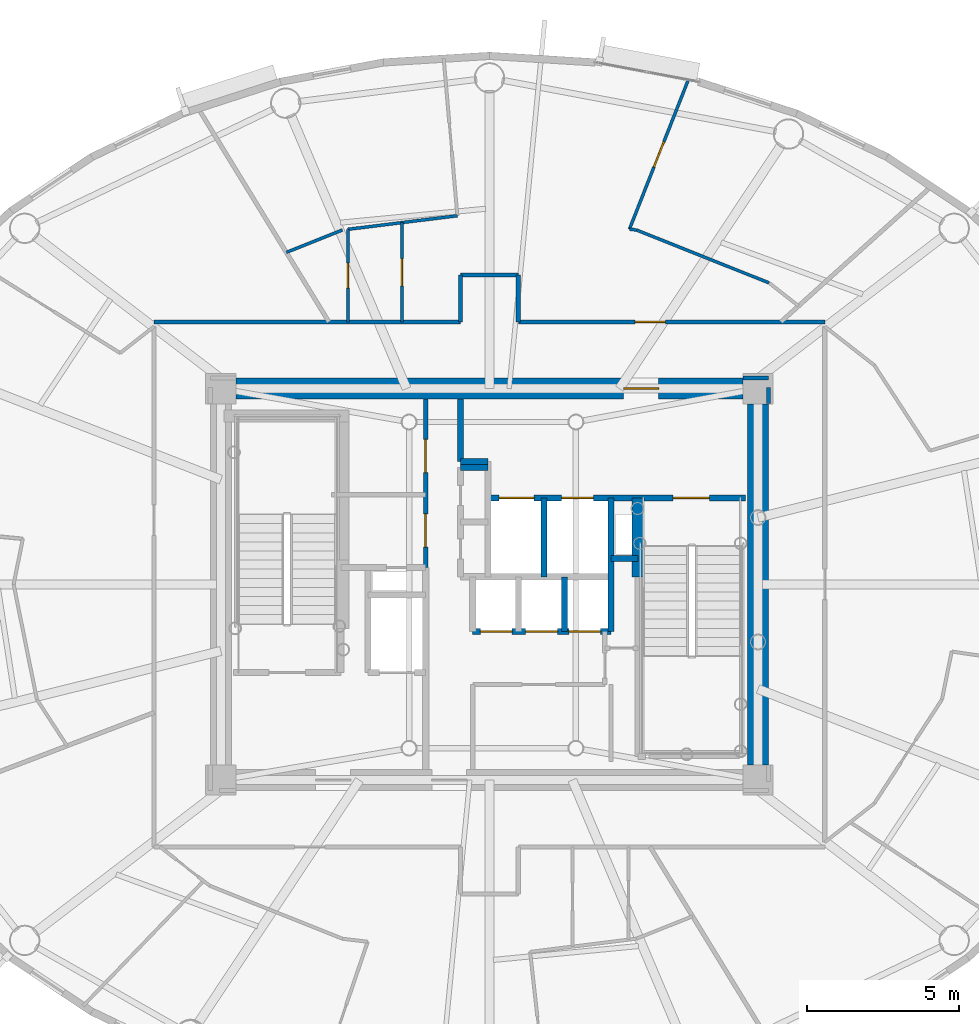
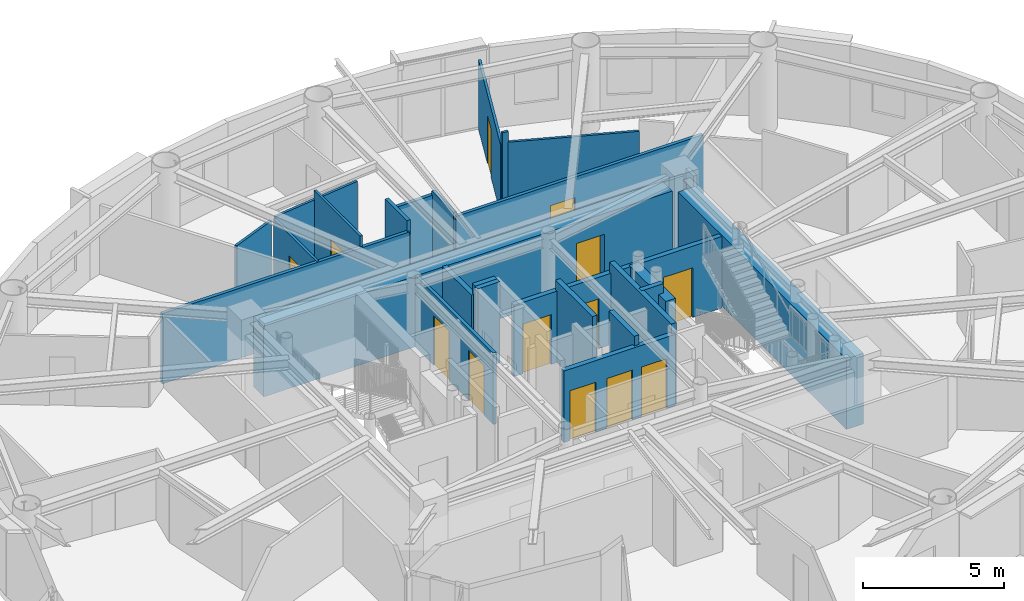
# One storey, part 8 of 17: 27 walls, 13 doors, 13 openings.
"""IFC4 building model written with IfcOpenShell, lengths in metres."""

import ifcopenshell
import ifcopenshell.guid

model = None  # the IFC model being written
_history = None  # IfcOwnerHistory: only IFC2X3 demands one
_inside = {}  # id of a spatial element -> (the spatial element, [elements in it])
_under = {}  # id of a project, library or spatial element -> (it, [spatial elements below it])
_declared = {}  # id of a project -> (the project, [libraries it declares])
_typed = {}  # id of a type object -> (the type object, [elements of that type])
_made_of = {}  # id of a material, layer set ... -> (it, [elements and type objects made of it])


def new_model(schema):
    """Start an empty IFC model of exactly this schema.

    Asked for "IFC4X3", IfcOpenShell would pick the latest addendum, in which some entities
    have other attributes; the version numbers below select the first issue.
    IFC2X3 requires an IfcOwnerHistory on every rooted entity: one is made here for all.
    """
    global model, _history
    if schema == "IFC4X3":
        model = ifcopenshell.file(schema_version=(4, 3, 0, 0))
    else:
        model = ifcopenshell.file(schema=schema)
    _inside.clear()
    _under.clear()
    _declared.clear()
    _typed.clear()
    _made_of.clear()
    _history = None
    if model.schema == "IFC2X3":
        org = make("IfcOrganization", Name="unknown")
        user = make(
            "IfcPersonAndOrganization",
            ThePerson=make("IfcPerson", FamilyName="unknown"),
            TheOrganization=org,
        )
        app = make(
            "IfcApplication",
            ApplicationDeveloper=org,
            Version="unknown",
            ApplicationFullName="unknown",
            ApplicationIdentifier="unknown",
        )
        _history = make(
            "IfcOwnerHistory",
            OwningUser=user,
            OwningApplication=app,
            ChangeAction="ADDED",
            CreationDate=0,
        )
    return model


def make(cls, **values):
    """One entity of the class cls with the attributes given. An attribute that is None is left unset."""
    return model.create_entity(
        cls, **{name: value for name, value in values.items() if value is not None}
    )


def rooted(cls, **values):
    """An entity with a GlobalId (a new one), such as an element, a storey or a relation."""
    return make(cls, GlobalId=ifcopenshell.guid.new(), OwnerHistory=_history, **values)


def si_unit(unit_type, name, prefix=None):
    """IfcSIUnit, for example si_unit("LENGTHUNIT", "METRE", prefix="MILLI")."""
    return make("IfcSIUnit", UnitType=unit_type, Prefix=prefix, Name=name)


def assignment(units):
    """IfcUnitAssignment: the units of a project."""
    return None if units is None else make("IfcUnitAssignment", Units=units)


def point(xyz):
    """IfcCartesianPoint."""
    return None if xyz is None else make("IfcCartesianPoint", Coordinates=xyz)


def direction(xyz):
    """IfcDirection."""
    return None if xyz is None else make("IfcDirection", DirectionRatios=xyz)


def frame(location, z_axis=None, x_axis=None):
    """IfcAxis2Placement3D, a coordinate frame: its origin and axes. An axis left out is left unset."""
    return make(
        "IfcAxis2Placement3D",
        Location=point(location),
        Axis=direction(z_axis),
        RefDirection=direction(x_axis),
    )


def frame_2d(location, x_axis=None):
    """IfcAxis2Placement2D, a coordinate frame in the plane: its origin and x axis."""
    return make(
        "IfcAxis2Placement2D", Location=point(location), RefDirection=direction(x_axis)
    )


def origin():
    """The frame at (0, 0, 0) with its axes left unset."""
    return frame((0.0, 0.0, 0.0))


def origin_2d():
    """The frame at (0, 0) in the plane with its x axis left unset."""
    return frame_2d((0.0, 0.0))


def place(relative_to, where):
    """IfcLocalPlacement: puts the frame where relative to a parent placement (None: the world)."""
    return make(
        "IfcLocalPlacement", PlacementRelTo=relative_to, RelativePlacement=where
    )


def context(
    kind, dimensions, precision=None, world=None, true_north=None, identifier=None
):
    """IfcGeometricRepresentationContext, for example the 3D "Model" context."""
    return make(
        "IfcGeometricRepresentationContext",
        ContextIdentifier=identifier,
        ContextType=kind,
        CoordinateSpaceDimension=dimensions,
        Precision=precision,
        WorldCoordinateSystem=world,
        TrueNorth=true_north,
    )


def subcontext(parent, identifier, kind, view, scale=None):
    """IfcGeometricRepresentationSubContext, for example "Body" below "Model"."""
    return make(
        "IfcGeometricRepresentationSubContext",
        ContextIdentifier=identifier,
        ContextType=kind,
        ParentContext=parent,
        TargetScale=scale,
        TargetView=view,
    )


def project(units=None, contexts=None):
    """IfcProject with its units and contexts."""
    return rooted(
        "IfcProject",
        Name="project",
        RepresentationContexts=contexts,
        UnitsInContext=assignment(units),
    )


def spatial(cls, under=None, at=None, **own):
    """A site, building, storey or space (cls), placed at a placement, below another one or the project."""
    s = rooted(cls, ObjectPlacement=at, **own)
    if under is not None:
        _under.setdefault(under.id(), (under, []))[1].append(s)
    return s


def profile(cls, at=None, kind="AREA", **sizes):
    """A parametric profile (cls). Its sizes go by their IFC names, for example OverallWidth=200.0."""
    return make(cls, ProfileType=kind, Position=at, **sizes)


def rectangle(**sizes):
    """IfcRectangleProfileDef."""
    return profile("IfcRectangleProfileDef", **sizes)


def extrude(swept, where, along, depth):
    """IfcExtrudedAreaSolid: the profile swept, set in the frame where, extruded along a direction by depth."""
    return make(
        "IfcExtrudedAreaSolid",
        SweptArea=swept,
        Position=where,
        ExtrudedDirection=direction(along),
        Depth=depth,
    )


def shape(context_of_items, identifier, shape_type, items):
    """IfcShapeRepresentation: the items that make up one representation, for example the "Body"."""
    return make(
        "IfcShapeRepresentation",
        ContextOfItems=context_of_items,
        RepresentationIdentifier=identifier,
        RepresentationType=shape_type,
        Items=items,
    )


def source(mapping_origin, context_of_items, identifier, shape_type, items):
    """IfcRepresentationMap: a shape defined once, which mapped items show again and again."""
    return make(
        "IfcRepresentationMap",
        MappingOrigin=mapping_origin,
        MappedRepresentation=shape(context_of_items, identifier, shape_type, items),
    )


def transform(
    local_origin,
    x_axis=None,
    y_axis=None,
    z_axis=None,
    scale=None,
    scale2=None,
    scale3=None,
    uniform=True,
):
    """IfcCartesianTransformationOperator3D, or its non-uniform kind. x_axis, y_axis, z_axis: its Axis1, 2, 3."""
    if uniform:
        return make(
            "IfcCartesianTransformationOperator3D",
            Axis1=direction(x_axis),
            Axis2=direction(y_axis),
            LocalOrigin=point(local_origin),
            Scale=scale,
            Axis3=direction(z_axis),
        )
    return make(
        "IfcCartesianTransformationOperator3DnonUniform",
        Axis1=direction(x_axis),
        Axis2=direction(y_axis),
        LocalOrigin=point(local_origin),
        Scale=scale,
        Axis3=direction(z_axis),
        Scale2=scale2,
        Scale3=scale3,
    )


def mapped(mapping_source, mapping_target):
    """IfcMappedItem: shows the shape of a source again, moved by a transform."""
    return make(
        "IfcMappedItem", MappingSource=mapping_source, MappingTarget=mapping_target
    )


def material(Name=None, Category=None):
    """IfcMaterial."""
    return make("IfcMaterial", Name=Name, Category=Category)


def layer(
    of_material, thickness, ventilated=None, Name=None, Category=None, Priority=None
):
    """IfcMaterialLayer: one layer of a wall or slab, of a material (None: an air gap)."""
    return make(
        "IfcMaterialLayer",
        Material=of_material,
        LayerThickness=thickness,
        IsVentilated=ventilated,
        Name=Name,
        Category=Category,
        Priority=Priority,
    )


def layer_set(layers, Name=None):
    """IfcMaterialLayerSet."""
    return make("IfcMaterialLayerSet", MaterialLayers=layers, LayerSetName=Name)


def made_of(thing, what):
    """Note that an element or type object is made of a material, layer set ...; save() writes the relation."""
    if what is not None:
        _made_of.setdefault(what.id(), (what, []))[1].append(thing)
    return thing


def type_object(cls, material=None, **own):
    """A type object (cls), such as IfcWallType, which elements share."""
    return made_of(rooted(cls, **own), material)


def element(
    cls,
    number,
    at=None,
    inside=None,
    cuts=None,
    type_object=None,
    material=None,
    context=None,
    identifier="Body",
    shape_type=None,
    held_by="IfcProductDefinitionShape",
    body=None,
    shapes=None,
    **own,
):
    """One element of the class cls, such as IfcWall. Its Tag is "e" and its number.

    at: its placement. inside: the storey or other place that contains it. cuts: it is an
    opening in that element (IfcRelVoidsElement). A single representation is given by context,
    identifier, shape_type and body (its items); several are given by shapes. held_by: the class
    of the entity that holds the representations. save() writes the other relations.
    """
    e = rooted(cls, Tag="e%d" % number, ObjectPlacement=at, **own)
    if body is not None:
        shapes = [shape(context, identifier, shape_type, body)]
    if shapes is not None:
        e.Representation = make(held_by, Representations=shapes)
    if inside is not None:
        _inside.setdefault(inside.id(), (inside, []))[1].append(e)
    if cuts is not None:
        rooted(
            "IfcRelVoidsElement", RelatingBuildingElement=cuts, RelatedOpeningElement=e
        )
    if type_object is not None:
        _typed.setdefault(type_object.id(), (type_object, []))[1].append(e)
    return made_of(e, material)


def fill(opening, filler):
    """IfcRelFillsElement: the door or window that sits in an opening."""
    return rooted(
        "IfcRelFillsElement",
        RelatingOpeningElement=opening,
        RelatedBuildingElement=filler,
    )


def aggregate(whole, parts):
    """IfcRelAggregates: a whole, such as a stair, and the parts it consists of."""
    return rooted("IfcRelAggregates", RelatingObject=whole, RelatedObjects=parts)


def save(model, path):
    """Write the relations noted so far, then the file.

    IfcRelAggregates (storeys below a building ...), IfcRelContainedInSpatialStructure (elements
    in a storey), IfcRelDefinesByType, IfcRelAssociatesMaterial and IfcRelDeclares: one each for
    every whole, place, type object, material and project.
    """
    for whole, parts in _under.values():
        aggregate(whole, parts)
    for where, things in _inside.values():
        rooted(
            "IfcRelContainedInSpatialStructure",
            RelatedElements=things,
            RelatingStructure=where,
        )
    for kind, things in _typed.values():
        rooted("IfcRelDefinesByType", RelatedObjects=things, RelatingType=kind)
    for what, things in _made_of.values():
        rooted("IfcRelAssociatesMaterial", RelatedObjects=things, RelatingMaterial=what)
    for by, libraries in _declared.values():
        rooted("IfcRelDeclares", RelatingContext=by, RelatedDefinitions=libraries)
    model.write(path)


model = new_model("IFC4")

# Units and contexts
model_context = context("Model", 3, precision=1e-05, world=origin(), true_north=direction((0.0, 1.0)))
body_context = subcontext(model_context, "Body", "Model", "MODEL_VIEW")
ifc_project = project(units=[si_unit("LENGTHUNIT", "METRE"), si_unit("AREAUNIT", "SQUARE_METRE"), si_unit("VOLUMEUNIT", "CUBIC_METRE"), si_unit("PLANEANGLEUNIT", "RADIAN"), si_unit("MASSUNIT", "GRAM", prefix="KILO")], contexts=[model_context])

# Site, building, storey
site_placement = place(None, origin())
site = spatial("IfcSite", under=ifc_project, at=site_placement, CompositionType="ELEMENT")
building_placement = place(site_placement, origin())
building = spatial("IfcBuilding", under=site, at=building_placement, Name="Linh Dai School and Residence Tower", CompositionType="ELEMENT")
storey_placement = place(building_placement, frame((0.0, 0.0, 284.25)))
storey = spatial("IfcBuildingStorey", under=building, at=storey_placement, Name="L70", CompositionType="ELEMENT", Elevation=284.25)

# Wall
ifc_material_1 = material(Name="Autoclaved Aerated Concrete Blockwork", Category="masonry")
ifc_layer_1 = layer(ifc_material_1, 0.135009765625)
ifc_layer_set_1 = layer_set([ifc_layer_1], Name="Autoclaved Aerated Concrete Blockwork")
wall_type_1 = type_object("IfcWallType", Name="IW-CORR-135-EI90", PredefinedType="PARTITIONING", material=ifc_layer_set_1)
wall_1_placement = place(storey_placement, frame((24.949951171875, 35.64990234375, 0.0), z_axis=(0.0, 0.0, 1.0), x_axis=(1.0, 0.0, 0.0)))
element("IfcWall", 1, at=wall_1_placement, inside=storey, type_object=wall_type_1, Name="L70 Interior Partition Wall 013", PredefinedType="PARTITIONING", context=body_context, shape_type="SweptSolid", body=[
    extrude(rectangle(XDim=10.10009765625, YDim=0.135009765625, at=frame_2d((5.050048828125, 0.0))), origin(), (0.0, 0.0, 1.0), 3.034912109375),
])

# Wall, openings, doors
wall_2_placement = place(storey_placement, frame((33.89990234375, 27.56005859375, 0.0), z_axis=(0.0, 0.0, 1.0), x_axis=(0.0, 1.0, 0.0)))
wall_2 = element("IfcWall", 2, at=wall_2_placement, inside=storey, type_object=wall_type_1, Name="L70 Interior Partition Wall 031", PredefinedType="PARTITIONING", context=body_context, shape_type="SweptSolid", body=[
    extrude(rectangle(XDim=5.5400390625, YDim=0.135009765625, at=frame_2d((2.77001953125, 0.0))), origin(), (0.0, 0.0, 1.0), 3.0849609375),
])
opening_1_placement = place(wall_2_placement, frame((0.6650390625, 0.0, 0.0)))
opening_1 = element("IfcOpeningElement", 3, at=opening_1_placement, cuts=wall_2, Name="Opening D07", PredefinedType="OPENING", context=body_context, shape_type="SweptSolid", body=[
    extrude(rectangle(XDim=1.10009765625, YDim=2.14990234375, at=origin_2d()), frame((0.550048828125, 0.07763671875, 1.074951171875), z_axis=(0.0, -1.0, 0.0), x_axis=(1.0, 0.0, 0.0)), (0.0, 0.0, 1.0), 0.155029296875),
])
opening_2_placement = place(wall_2_placement, frame((3.117431640625, 0.0, 0.0)))
opening_2 = element("IfcOpeningElement", 4, at=opening_2_placement, cuts=wall_2, Name="Opening D07", PredefinedType="OPENING", context=body_context, shape_type="SweptSolid", body=[
    extrude(rectangle(XDim=1.10009765625, YDim=2.14990234375, at=origin_2d()), frame((0.550048828125, 0.07763671875, 1.074951171875), z_axis=(0.0, -1.0, 0.0), x_axis=(1.0, 0.0, 0.0)), (0.0, 0.0, 1.0), 0.155029296875),
])
ifc_material_2 = material(Name="Fire-Rated Louvred Steel Plant Door", Category="steel")
door_type_1 = type_object("IfcDoorType", Name="DR-PLT-1100x2150-FD60S", OperationType="NOTDEFINED", PredefinedType="DOOR", material=ifc_material_2)
shared_shape_1 = source(origin(), body_context, "Body", "SweptSolid", [
    extrude(rectangle(XDim=1.10009765625, YDim=2.14990234375, at=origin_2d()), frame((0.550048828125, 0.02490234375, 1.074951171875), z_axis=(0.0, -1.0, 0.0), x_axis=(1.0, 0.0, 0.0)), (0.0, 0.0, 1.0), 0.050048828125),
])
door_1_placement = place(opening_1_placement, origin())
door_1 = element("IfcDoor", 5, at=door_1_placement, inside=storey, type_object=door_type_1, Name="L70 BMS and Data Room Door", OperationType="SINGLE_SWING_LEFT", OverallHeight=2.14990234375, OverallWidth=1.10009765625, PredefinedType="DOOR", context=body_context, shape_type="MappedRepresentation", body=[
    mapped(shared_shape_1, transform((0.0, 0.0, 0.0), x_axis=(1.0, 0.0, 0.0), y_axis=(0.0, 1.0, 0.0), z_axis=(0.0, 0.0, 1.0), scale=1.0)),
])
fill(opening_1, door_1)
door_2_placement = place(opening_2_placement, origin())
door_2 = element("IfcDoor", 6, at=door_2_placement, inside=storey, type_object=door_type_1, Name="L70 Housekeeping Linen Room Door", OperationType="SINGLE_SWING_RIGHT", OverallHeight=2.14990234375, OverallWidth=1.10009765625, PredefinedType="DOOR", context=body_context, shape_type="MappedRepresentation", body=[
    mapped(shared_shape_1, transform((0.0, 0.0, 0.0), x_axis=(1.0, 0.0, 0.0), y_axis=(0.0, 1.0, 0.0), z_axis=(0.0, 0.0, 1.0), scale=1.0)),
])
fill(opening_2, door_2)

# Walls
wall_3_placement = place(storey_placement, frame((35.050048828125, 35.64990234375, 0.0), z_axis=(0.0, 0.0, 1.0), x_axis=(0.0, 1.0, 0.0)))
element("IfcWall", 7, at=wall_3_placement, inside=storey, type_object=wall_type_1, Name="L70 Interior Partition Wall 041", PredefinedType="PARTITIONING", context=body_context, shape_type="SweptSolid", body=[
    extrude(rectangle(XDim=1.550048828125, YDim=0.135009765625, at=frame_2d((0.77490234375, 0.0))), origin(), (0.0, 0.0, 1.0), 3.5),
])
wall_4_placement = place(storey_placement, frame((35.050048828125, 37.199951171875, 0.0), z_axis=(0.0, 0.0, 1.0), x_axis=(1.0, 0.0, 0.0)))
element("IfcWall", 8, at=wall_4_placement, inside=storey, type_object=wall_type_1, Name="L70 Interior Partition Wall 042", PredefinedType="PARTITIONING", context=body_context, shape_type="SweptSolid", body=[
    extrude(rectangle(XDim=1.89990234375, YDim=0.135009765625, at=frame_2d((0.949951171875, 0.0))), origin(), (0.0, 0.0, 1.0), 3.034912109375),
])
wall_5_placement = place(storey_placement, frame((36.949951171875, 35.64990234375, 0.0), z_axis=(0.0, 0.0, 1.0), x_axis=(0.0, 1.0, 0.0)))
element("IfcWall", 9, at=wall_5_placement, inside=storey, type_object=wall_type_1, Name="L70 Interior Partition Wall 051", PredefinedType="PARTITIONING", context=body_context, shape_type="SweptSolid", body=[
    extrude(rectangle(XDim=1.550048828125, YDim=0.135009765625, at=frame_2d((0.77490234375, 0.0))), origin(), (0.0, 0.0, 1.0), 3.18505859375),
])

# Wall, opening, door
wall_6_placement = place(storey_placement, frame((36.949951171875, 35.64990234375, 0.0), z_axis=(0.0, 0.0, 1.0), x_axis=(1.0, 0.0, 0.0)))
wall_6 = element("IfcWall", 10, at=wall_6_placement, inside=storey, type_object=wall_type_1, Name="L70 Interior Partition Wall 052", PredefinedType="PARTITIONING", context=body_context, shape_type="SweptSolid", body=[
    extrude(rectangle(XDim=10.10009765625, YDim=0.135009765625, at=frame_2d((5.050048828125, 0.0))), origin(), (0.0, 0.0, 1.0), 3.034912109375),
])
opening_3_placement = place(wall_6_placement, frame((3.848388671875, 0.0, 0.0)))
opening_3 = element("IfcOpeningElement", 11, at=opening_3_placement, cuts=wall_6, Name="Opening D03", PredefinedType="OPENING", context=body_context, shape_type="SweptSolid", body=[
    extrude(rectangle(XDim=1.0, YDim=2.14990234375, at=origin_2d()), frame((0.5, 0.07763671875, 1.074951171875), z_axis=(0.0, -1.0, 0.0), x_axis=(1.0, 0.0, 0.0)), (0.0, 0.0, 1.0), 0.155029296875),
])
ifc_material_3 = material(Name="Fire-Rated Solid Timber Entrance Door", Category="wood")
door_type_2 = type_object("IfcDoorType", Name="DR-FLAT-1000x2150-FD60S", OperationType="NOTDEFINED", PredefinedType="DOOR", material=ifc_material_3)
shared_shape_2 = source(origin(), body_context, "Body", "SweptSolid", [
    extrude(rectangle(XDim=1.0, YDim=2.14990234375, at=origin_2d()), frame((0.5, 0.02490234375, 1.074951171875), z_axis=(0.0, -1.0, 0.0), x_axis=(1.0, 0.0, 0.0)), (0.0, 0.0, 1.0), 0.050048828125),
])
door_3_placement = place(opening_3_placement, origin())
door_3 = element("IfcDoor", 12, at=door_3_placement, inside=storey, type_object=door_type_2, Name="L70 U7001 Apartment Entrance Door", OperationType="SINGLE_SWING_RIGHT", OverallHeight=2.14990234375, OverallWidth=1.0, PredefinedType="DOOR", context=body_context, shape_type="MappedRepresentation", body=[
    mapped(shared_shape_2, transform((0.0, 0.0, 0.0), x_axis=(1.0, 0.0, 0.0), y_axis=(0.0, 1.0, 0.0), z_axis=(0.0, 0.0, 1.0), scale=1.0)),
])
fill(opening_3, door_3)

# Walls
wall_7_placement = place(storey_placement, frame((45.199951171875, 33.800048828125, 0.0), z_axis=(0.0, 0.0, 1.0), x_axis=(-1.0, 0.0, 0.0)))
element("IfcWall", 13, at=wall_7_placement, inside=storey, type_object=wall_type_1, Name="L70 Interior Partition Wall 086", PredefinedType="PARTITIONING", context=body_context, shape_type="SweptSolid", body=[
    extrude(rectangle(XDim=0.83984375, YDim=0.135009765625, at=frame_2d((0.419921875, 0.0))), origin(), (0.0, 0.0, 1.0), 3.034912109375),
])
wall_8_placement = place(storey_placement, frame((45.199951171875, 32.9599609375, 0.0), z_axis=(0.0, 0.0, 1.0), x_axis=(0.0, 1.0, 0.0)))
element("IfcWall", 14, at=wall_8_placement, inside=storey, type_object=wall_type_1, Name="L70 Interior Partition Wall 093", PredefinedType="PARTITIONING", context=body_context, shape_type="SweptSolid", body=[
    extrude(rectangle(XDim=0.532470703125, YDim=0.135009765625, at=frame_2d((0.26611328125, 0.0))), origin(), (0.0, 0.0, 1.0), 3.5),
])
ifc_material_4 = material(Name="Concrete B45 (C35/45)", Category="concrete")
ifc_layer_2 = layer(ifc_material_4, 0.199951171875)
ifc_layer_set_2 = layer_set([ifc_layer_2], Name="Concrete B45 (C35/45)")
wall_type_2 = type_object("IfcWallType", Name="IW-SHAFT-200-EI120", PredefinedType="PARTITIONING", material=ifc_layer_set_2)
wall_9_placement = place(storey_placement, frame((35.050048828125, 30.85009765625, 0.0), z_axis=(0.0, 0.0, 1.0), x_axis=(1.0, 0.0, 0.0)))
element("IfcWall", 15, at=wall_9_placement, inside=storey, type_object=wall_type_2, Name="L70 Interior Partition Wall 038", PredefinedType="PARTITIONING", context=body_context, shape_type="SweptSolid", body=[
    extrude(rectangle(XDim=0.89990234375, YDim=0.199951171875, at=frame_2d((0.449951171875, 0.0))), origin(), (0.0, 0.0, 1.0), 3.5),
])
wall_10_placement = place(storey_placement, frame((35.050048828125, 31.050048828125, 0.0), z_axis=(0.0, 0.0, 1.0), x_axis=(0.0, 1.0, 0.0)))
element("IfcWall", 16, at=wall_10_placement, inside=storey, type_object=wall_type_2, Name="L70 Interior Partition Wall 039", PredefinedType="PARTITIONING", context=body_context, shape_type="SweptSolid", body=[
    extrude(rectangle(XDim=2.050048828125, YDim=0.199951171875, at=frame_2d((1.02490234375, 0.0))), origin(), (0.0, 0.0, 1.0), 3.0849609375),
])
wall_11_placement = place(storey_placement, frame((35.050048828125, 31.050048828125, 0.0), z_axis=(0.0, 0.0, 1.0), x_axis=(1.0, 0.0, 0.0)))
element("IfcWall", 17, at=wall_11_placement, inside=storey, type_object=wall_type_2, Name="L70 Interior Partition Wall 040", PredefinedType="PARTITIONING", context=body_context, shape_type="SweptSolid", body=[
    extrude(rectangle(XDim=0.89990234375, YDim=0.199951171875, at=frame_2d((0.449951171875, 0.0))), origin(), (0.0, 0.0, 1.0), 3.5),
])

# Wall, openings, doors
wall_12_placement = place(storey_placement, frame((35.449951171875, 25.449951171875, 0.0), z_axis=(0.0, 0.0, 1.0), x_axis=(1.0, 0.0, 0.0)))
wall_12 = element("IfcWall", 18, at=wall_12_placement, inside=storey, type_object=wall_type_2, Name="L70 Interior Partition Wall 046", PredefinedType="PARTITIONING", context=body_context, shape_type="SweptSolid", body=[
    extrude(rectangle(XDim=4.550048828125, YDim=0.199951171875, at=frame_2d((2.27490234375, 0.0))), origin(), (0.0, 0.0, 1.0), 3.0849609375),
])
opening_4_placement = place(wall_12_placement, frame((0.25, 0.0, 0.0)))
opening_4 = element("IfcOpeningElement", 19, at=opening_4_placement, cuts=wall_12, Name="Opening LD-PL7", PredefinedType="OPENING", context=body_context, shape_type="SweptSolid", body=[
    extrude(rectangle(XDim=1.050048828125, YDim=2.14990234375, at=origin_2d()), frame((0.52490234375, 0.10986328125, 1.074951171875), z_axis=(0.0, -1.0, 0.0), x_axis=(1.0, 0.0, 0.0)), (0.0, 0.0, 1.0), 0.219970703125),
])
opening_5_placement = place(wall_12_placement, frame((1.7451171875, 0.0, 0.0)))
opening_5 = element("IfcOpeningElement", 20, at=opening_5_placement, cuts=wall_12, Name="Opening LD-PL8", PredefinedType="OPENING", context=body_context, shape_type="SweptSolid", body=[
    extrude(rectangle(XDim=1.050048828125, YDim=2.14990234375, at=origin_2d()), frame((0.52490234375, 0.10986328125, 1.074951171875), z_axis=(0.0, -1.0, 0.0), x_axis=(1.0, 0.0, 0.0)), (0.0, 0.0, 1.0), 0.219970703125),
])
opening_6_placement = place(wall_12_placement, frame((3.1650390625, 0.0, 0.0)))
opening_6 = element("IfcOpeningElement", 21, at=opening_6_placement, cuts=wall_12, Name="Opening LD-PL9", PredefinedType="OPENING", context=body_context, shape_type="SweptSolid", body=[
    extrude(rectangle(XDim=1.050048828125, YDim=2.14990234375, at=origin_2d()), frame((0.52490234375, 0.10986328125, 1.074951171875), z_axis=(0.0, -1.0, 0.0), x_axis=(1.0, 0.0, 0.0)), (0.0, 0.0, 1.0), 0.219970703125),
])
ifc_material_5 = material(Name="Brushed Stainless Steel Lift Landing Door", Category="steel")
door_type_3 = type_object("IfcDoorType", Name="DR-LD-PASS-1050x2150", OperationType="DOUBLE_DOOR_SLIDING", PredefinedType="USERDEFINED", material=ifc_material_5)
shared_shape_3 = source(origin(), body_context, "Body", "SweptSolid", [
    extrude(rectangle(XDim=1.050048828125, YDim=2.14990234375, at=origin_2d()), frame((0.52490234375, 0.02490234375, 1.074951171875), z_axis=(0.0, -1.0, 0.0), x_axis=(1.0, 0.0, 0.0)), (0.0, 0.0, 1.0), 0.050048828125),
])
door_4_placement = place(opening_4_placement, origin())
door_4 = element("IfcDoor", 22, at=door_4_placement, inside=storey, type_object=door_type_3, Name="L70 Lift PL7 Sliding Landing Door", ObjectType="LANDING DOOR", OperationType="DOUBLE_DOOR_SLIDING", OverallHeight=2.14990234375, OverallWidth=1.050048828125, PredefinedType="USERDEFINED", context=body_context, shape_type="MappedRepresentation", body=[
    mapped(shared_shape_3, transform((0.0, 0.0, 0.0), x_axis=(1.0, 0.0, 0.0), y_axis=(0.0, 1.0, 0.0), z_axis=(0.0, 0.0, 1.0), scale=1.0)),
])
fill(opening_4, door_4)
door_5_placement = place(opening_5_placement, origin())
door_5 = element("IfcDoor", 23, at=door_5_placement, inside=storey, type_object=door_type_3, Name="L70 Lift PL8 Sliding Landing Door", ObjectType="LANDING DOOR", OperationType="DOUBLE_DOOR_SLIDING", OverallHeight=2.14990234375, OverallWidth=1.050048828125, PredefinedType="USERDEFINED", context=body_context, shape_type="MappedRepresentation", body=[
    mapped(shared_shape_3, transform((0.0, 0.0, 0.0), x_axis=(1.0, 0.0, 0.0), y_axis=(0.0, 1.0, 0.0), z_axis=(0.0, 0.0, 1.0), scale=1.0)),
])
fill(opening_5, door_5)
door_6_placement = place(opening_6_placement, origin())
door_6 = element("IfcDoor", 24, at=door_6_placement, inside=storey, type_object=door_type_3, Name="L70 Lift PL9 Sliding Landing Door", ObjectType="LANDING DOOR", OperationType="DOUBLE_DOOR_SLIDING", OverallHeight=2.14990234375, OverallWidth=1.050048828125, PredefinedType="USERDEFINED", context=body_context, shape_type="MappedRepresentation", body=[
    mapped(shared_shape_3, transform((0.0, 0.0, 0.0), x_axis=(1.0, 0.0, 0.0), y_axis=(0.0, 1.0, 0.0), z_axis=(0.0, 0.0, 1.0), scale=1.0)),
])
fill(opening_6, door_6)

wall_13_placement = place(storey_placement, frame((35.949951171875, 29.85009765625, 0.0), z_axis=(0.0, 0.0, 1.0), x_axis=(1.0, 0.0, 0.0)))
wall_13 = element("IfcWall", 25, at=wall_13_placement, inside=storey, type_object=wall_type_2, Name="L70 Interior Partition Wall 048", PredefinedType="PARTITIONING", context=body_context, shape_type="SweptSolid", body=[
    extrude(rectangle(XDim=8.489990234375, YDim=0.199951171875, at=frame_2d((4.2451171875, 0.0))), origin(), (0.0, 0.0, 1.0), 3.0849609375),
])
opening_7_placement = place(wall_13_placement, frame((6.10009765625, 0.0, 0.0)))
opening_7 = element("IfcOpeningElement", 26, at=opening_7_placement, cuts=wall_13, Name="Opening D01", PredefinedType="OPENING", context=body_context, shape_type="SweptSolid", body=[
    extrude(rectangle(XDim=1.199951171875, YDim=2.14990234375, at=origin_2d()), frame((0.60009765625, 0.10986328125, 1.074951171875), z_axis=(0.0, -1.0, 0.0), x_axis=(1.0, 0.0, 0.0)), (0.0, 0.0, 1.0), 0.219970703125),
])
opening_8_placement = place(wall_13_placement, frame((0.3701171875, 0.0, 0.0)))
opening_8 = element("IfcOpeningElement", 27, at=opening_8_placement, cuts=wall_13, Name="Opening LD-FF1", PredefinedType="OPENING", context=body_context, shape_type="SweptSolid", body=[
    extrude(rectangle(XDim=1.14990234375, YDim=2.14990234375, at=origin_2d()), frame((0.574951171875, 0.10986328125, 1.074951171875), z_axis=(0.0, -1.0, 0.0), x_axis=(1.0, 0.0, 0.0)), (0.0, 0.0, 1.0), 0.219970703125),
])
opening_9_placement = place(wall_13_placement, frame((2.425048828125, 0.0, 0.0)))
opening_9 = element("IfcOpeningElement", 28, at=opening_9_placement, cuts=wall_13, Name="Opening LD-SV1", PredefinedType="OPENING", context=body_context, shape_type="SweptSolid", body=[
    extrude(rectangle(XDim=1.050048828125, YDim=2.14990234375, at=origin_2d()), frame((0.52490234375, 0.10986328125, 1.074951171875), z_axis=(0.0, -1.0, 0.0), x_axis=(1.0, 0.0, 0.0)), (0.0, 0.0, 1.0), 0.219970703125),
])
ifc_material_6 = material(Name="Fire-Rated Steel Door Leaf", Category="steel")
door_type_4 = type_object("IfcDoorType", Name="DR-STAIR-1200x2150-FD90S", OperationType="NOTDEFINED", PredefinedType="DOOR", material=ifc_material_6)
shared_shape_4 = source(origin(), body_context, "Body", "SweptSolid", [
    extrude(rectangle(XDim=1.199951171875, YDim=2.14990234375, at=origin_2d()), frame((0.60009765625, 0.02490234375, 1.074951171875), z_axis=(0.0, -1.0, 0.0), x_axis=(1.0, 0.0, 0.0)), (0.0, 0.0, 1.0), 0.050048828125),
])
door_7_placement = place(opening_7_placement, origin())
door_7 = element("IfcDoor", 29, at=door_7_placement, inside=storey, type_object=door_type_4, Name="L70 Core Smokeproof Exit Stair ST2 Door", OperationType="SINGLE_SWING_LEFT", OverallHeight=2.14990234375, OverallWidth=1.199951171875, PredefinedType="DOOR", context=body_context, shape_type="MappedRepresentation", body=[
    mapped(shared_shape_4, transform((0.0, 0.0, 0.0), x_axis=(1.0, 0.0, 0.0), y_axis=(0.0, 1.0, 0.0), z_axis=(0.0, 0.0, 1.0), scale=1.0)),
])
fill(opening_7, door_7)
ifc_material_7 = material(Name="Fire-Rated Stainless Steel Firefighting Lift Door", Category="steel")
door_type_5 = type_object("IfcDoorType", Name="DR-LD-FF-1150x2150-FD120", OperationType="DOUBLE_DOOR_SLIDING", PredefinedType="USERDEFINED", material=ifc_material_7)
shared_shape_5 = source(origin(), body_context, "Body", "SweptSolid", [
    extrude(rectangle(XDim=1.14990234375, YDim=2.14990234375, at=origin_2d()), frame((0.574951171875, 0.02490234375, 1.074951171875), z_axis=(0.0, -1.0, 0.0), x_axis=(1.0, 0.0, 0.0)), (0.0, 0.0, 1.0), 0.050048828125),
])
door_8_placement = place(opening_8_placement, origin())
door_8 = element("IfcDoor", 30, at=door_8_placement, inside=storey, type_object=door_type_5, Name="L70 Lift FF1 Sliding Landing Door", ObjectType="LANDING DOOR", OperationType="DOUBLE_DOOR_SLIDING", OverallHeight=2.14990234375, OverallWidth=1.14990234375, PredefinedType="USERDEFINED", context=body_context, shape_type="MappedRepresentation", body=[
    mapped(shared_shape_5, transform((0.0, 0.0, 0.0), x_axis=(1.0, 0.0, 0.0), y_axis=(0.0, 1.0, 0.0), z_axis=(0.0, 0.0, 1.0), scale=1.0)),
])
fill(opening_8, door_8)
door_9_placement = place(opening_9_placement, origin())
door_9 = element("IfcDoor", 31, at=door_9_placement, inside=storey, type_object=door_type_3, Name="L70 Lift SV1 Sliding Landing Door", ObjectType="LANDING DOOR", OperationType="DOUBLE_DOOR_SLIDING", OverallHeight=2.14990234375, OverallWidth=1.050048828125, PredefinedType="USERDEFINED", context=body_context, shape_type="MappedRepresentation", body=[
    mapped(shared_shape_3, transform((0.0, 0.0, 0.0), x_axis=(1.0, 0.0, 0.0), y_axis=(0.0, 1.0, 0.0), z_axis=(0.0, 0.0, 1.0), scale=1.0)),
])
fill(opening_9, door_9)

# Walls
wall_14_placement = place(storey_placement, frame((37.800048828125, 27.25, 0.0), z_axis=(0.0, 0.0, 1.0), x_axis=(0.0, 1.0, 0.0)))
element("IfcWall", 32, at=wall_14_placement, inside=storey, type_object=wall_type_2, Name="L70 Interior Partition Wall 056", PredefinedType="PARTITIONING", context=body_context, shape_type="SweptSolid", body=[
    extrude(rectangle(XDim=2.60009765625, YDim=0.199951171875, at=frame_2d((1.300048828125, 0.0))), origin(), (0.0, 0.0, 1.0), 3.5),
])
wall_15_placement = place(storey_placement, frame((38.47998046875, 25.449951171875, 0.0), z_axis=(0.0, 0.0, 1.0), x_axis=(0.0, 1.0, 0.0)))
element("IfcWall", 33, at=wall_15_placement, inside=storey, type_object=wall_type_2, Name="L70 Interior Partition Wall 057", PredefinedType="PARTITIONING", context=body_context, shape_type="SweptSolid", body=[
    extrude(rectangle(XDim=1.800048828125, YDim=0.199951171875, at=frame_2d((0.89990234375, 0.0))), origin(), (0.0, 0.0, 1.0), 3.5),
])
wall_16_placement = place(storey_placement, frame((40.0, 25.449951171875, 0.0), z_axis=(0.0, 0.0, 1.0), x_axis=(0.0, 1.0, 0.0)))
element("IfcWall", 34, at=wall_16_placement, inside=storey, type_object=wall_type_2, Name="L70 Interior Partition Wall 061", PredefinedType="PARTITIONING", context=body_context, shape_type="SweptSolid", body=[
    extrude(rectangle(XDim=4.400146484375, YDim=0.199951171875, at=frame_2d((2.2001953125, 0.0))), origin(), (0.0, 0.0, 1.0), 3.5),
])
wall_17_placement = place(storey_placement, frame((40.0, 27.85009765625, 0.0), z_axis=(0.0, 0.0, 1.0), x_axis=(1.0, 0.0, 0.0)))
element("IfcWall", 35, at=wall_17_placement, inside=storey, type_object=wall_type_2, Name="L70 Interior Partition Wall 062", PredefinedType="PARTITIONING", context=body_context, shape_type="SweptSolid", body=[
    extrude(rectangle(XDim=0.89990234375, YDim=0.199951171875, at=frame_2d((0.449951171875, 0.0))), origin(), (0.0, 0.0, 1.0), 3.5),
])
ifc_material_8 = material(Name="Gypsum Plasterboard Acoustic Stud Partition", Category="masonry")
ifc_layer_3 = layer(ifc_material_8, 0.10009765625)
ifc_layer_set_3 = layer_set([ifc_layer_3], Name="Gypsum Plasterboard Acoustic Stud Partition")
wall_type_3 = type_object("IfcWallType", Name="IW-UNIT-100", PredefinedType="PARTITIONING", material=ifc_layer_set_3)
wall_18_placement = place(storey_placement, frame((29.306640625, 37.939697265625, 0.0), z_axis=(0.0, 0.0, 1.0), x_axis=(0.928797929692, 0.370586569913, 0.0)))
element("IfcWall", 36, at=wall_18_placement, inside=storey, type_object=wall_type_3, Name="L70 Interior Partition Wall 018", PredefinedType="PARTITIONING", context=body_context, shape_type="SweptSolid", body=[
    extrude(rectangle(XDim=1.989501953125, YDim=0.10009765625, at=frame_2d((0.99462890625, 0.0))), origin(), (0.0, 0.0, 1.0), 3.034912109375),
])

# Wall, opening, door
wall_19_placement = place(storey_placement, frame((31.33251953125, 35.64990234375, 0.0), z_axis=(0.0, 0.0, 1.0), x_axis=(0.0, 1.0, 0.0)))
wall_19 = element("IfcWall", 37, at=wall_19_placement, inside=storey, type_object=wall_type_3, Name="L70 Interior Partition Wall 024", PredefinedType="PARTITIONING", context=body_context, shape_type="SweptSolid", body=[
    extrude(rectangle(XDim=3.04931640625, YDim=0.10009765625, at=frame_2d((1.524658203125, 0.0))), origin(), (0.0, 0.0, 1.0), 3.034912109375),
])
opening_10_placement = place(wall_19_placement, frame((1.114501953125, 0.0, 0.0)))
opening_10 = element("IfcOpeningElement", 38, at=opening_10_placement, cuts=wall_19, Name="Opening D06", PredefinedType="OPENING", context=body_context, shape_type="SweptSolid", body=[
    extrude(rectangle(XDim=0.820068359375, YDim=2.10009765625, at=origin_2d()), frame((0.41015625, 0.06005859375, 1.050048828125), z_axis=(0.0, -1.0, 0.0), x_axis=(1.0, 0.0, 0.0)), (0.0, 0.0, 1.0), 0.1201171875),
])
ifc_material_9 = material(Name="Moisture-Resistant Timber Bathroom Door", Category="wood")
door_type_6 = type_object("IfcDoorType", Name="DR-WET-820x2100", OperationType="NOTDEFINED", PredefinedType="DOOR", material=ifc_material_9)
shared_shape_6 = source(origin(), body_context, "Body", "SweptSolid", [
    extrude(rectangle(XDim=0.820068359375, YDim=2.10009765625, at=origin_2d()), frame((0.41015625, 0.02490234375, 1.050048828125), z_axis=(0.0, -1.0, 0.0), x_axis=(1.0, 0.0, 0.0)), (0.0, 0.0, 1.0), 0.050048828125),
])
door_10_placement = place(opening_10_placement, origin())
door_10 = element("IfcDoor", 39, at=door_10_placement, inside=storey, type_object=door_type_6, Name="L70 Apartment U7001 Bathroom 1 Door", OperationType="SINGLE_SWING_RIGHT", OverallHeight=2.10009765625, OverallWidth=0.820068359375, PredefinedType="DOOR", context=body_context, shape_type="MappedRepresentation", body=[
    mapped(shared_shape_6, transform((0.0, 0.0, 0.0), x_axis=(1.0, 0.0, 0.0), y_axis=(0.0, 1.0, 0.0), z_axis=(0.0, 0.0, 1.0), scale=1.0)),
])
fill(opening_10, door_10)

# Wall
wall_20_placement = place(storey_placement, frame((31.33251953125, 38.69921875, 0.0), z_axis=(0.0, 0.0, 1.0), x_axis=(0.992398193069, 0.123068380965, 0.0)))
element("IfcWall", 40, at=wall_20_placement, inside=storey, type_object=wall_type_3, Name="L70 Interior Partition Wall 025", PredefinedType="PARTITIONING", context=body_context, shape_type="SweptSolid", body=[
    extrude(rectangle(XDim=3.63818359375, YDim=0.10009765625, at=frame_2d((1.819091796875, 0.0))), origin(), (0.0, 0.0, 1.0), 3.125),
])

# Wall, opening, door
wall_21_placement = place(storey_placement, frame((33.114990234375, 35.64990234375, 0.0), z_axis=(0.0, 0.0, 1.0), x_axis=(0.0, 1.0, 0.0)))
wall_21 = element("IfcWall", 41, at=wall_21_placement, inside=storey, type_object=wall_type_3, Name="L70 Interior Partition Wall 029", PredefinedType="PARTITIONING", context=body_context, shape_type="SweptSolid", body=[
    extrude(rectangle(XDim=3.270263671875, YDim=0.10009765625, at=frame_2d((1.63525390625, 0.0))), origin(), (0.0, 0.0, 1.0), 3.5),
])
opening_11_placement = place(wall_21_placement, frame((1.18505859375, 0.0, 0.0)))
opening_11 = element("IfcOpeningElement", 42, at=opening_11_placement, cuts=wall_21, Name="Opening D05", PredefinedType="OPENING", context=body_context, shape_type="SweptSolid", body=[
    extrude(rectangle(XDim=0.89990234375, YDim=2.10009765625, at=origin_2d()), frame((0.449951171875, 0.06005859375, 1.050048828125), z_axis=(0.0, -1.0, 0.0), x_axis=(1.0, 0.0, 0.0)), (0.0, 0.0, 1.0), 0.1201171875),
])
ifc_material_10 = material(Name="Engineered Timber Internal Door", Category="wood")
door_type_7 = type_object("IfcDoorType", Name="DR-INT-900x2100", OperationType="NOTDEFINED", PredefinedType="DOOR", material=ifc_material_10)
shared_shape_7 = source(origin(), body_context, "Body", "SweptSolid", [
    extrude(rectangle(XDim=0.89990234375, YDim=2.10009765625, at=origin_2d()), frame((0.449951171875, 0.02490234375, 1.050048828125), z_axis=(0.0, -1.0, 0.0), x_axis=(1.0, 0.0, 0.0)), (0.0, 0.0, 1.0), 0.050048828125),
])
door_11_placement = place(opening_11_placement, origin())
door_11 = element("IfcDoor", 43, at=door_11_placement, inside=storey, type_object=door_type_7, Name="L70 Apartment U7001 Kitchen Door", OperationType="SINGLE_SWING_LEFT", OverallHeight=2.10009765625, OverallWidth=0.89990234375, PredefinedType="DOOR", context=body_context, shape_type="MappedRepresentation", body=[
    mapped(shared_shape_7, transform((0.0, 0.0, 0.0), x_axis=(1.0, 0.0, 0.0), y_axis=(0.0, 1.0, 0.0), z_axis=(0.0, 0.0, 1.0), scale=1.0)),
])
fill(opening_11, door_11)

# Wall
wall_22_placement = place(storey_placement, frame((40.6142578125, 38.705810546875, 0.0), z_axis=(0.0, 0.0, 1.0), x_axis=(0.992326164187, -0.123647821937, 0.0)))
element("IfcWall", 44, at=wall_22_placement, inside=storey, type_object=wall_type_3, Name="L70 Interior Partition Wall 064", PredefinedType="PARTITIONING", context=body_context, shape_type="SweptSolid", body=[
    extrude(rectangle(XDim=0.23291015625, YDim=0.10009765625, at=frame_2d((0.116455078125, 0.0))), origin(), (0.0, 0.0, 1.0), 3.5),
])

# Wall, opening, door
wall_23_placement = place(storey_placement, frame((40.6142578125, 38.705810546875, 0.0), z_axis=(0.0, 0.0, 1.0), x_axis=(0.36670847824, 0.930335902772, 0.0)))
wall_23 = element("IfcWall", 45, at=wall_23_placement, inside=storey, type_object=wall_type_3, Name="L70 Interior Partition Wall 065", PredefinedType="PARTITIONING", context=body_context, shape_type="SweptSolid", body=[
    extrude(rectangle(XDim=5.29150390625, YDim=0.10009765625, at=frame_2d((2.645751953125, 0.0))), origin(), (0.0, 0.0, 1.0), 2.985107421875),
])
opening_12_placement = place(wall_23_placement, frame((2.19580078125, 0.0, 0.0)))
opening_12 = element("IfcOpeningElement", 46, at=opening_12_placement, cuts=wall_23, Name="Opening D05", PredefinedType="OPENING", context=body_context, shape_type="SweptSolid", body=[
    extrude(rectangle(XDim=0.89990234375, YDim=2.10009765625, at=origin_2d()), frame((0.449951171875, 0.06005859375, 1.050048828125), z_axis=(0.0, -1.0, 0.0), x_axis=(1.0, 0.0, 0.0)), (0.0, 0.0, 1.0), 0.1201171875),
])
door_12_placement = place(opening_12_placement, origin())
door_12 = element("IfcDoor", 47, at=door_12_placement, inside=storey, type_object=door_type_7, Name="L70 Apartment U7001 Principal Bedroom 1 Door", OperationType="SINGLE_SWING_LEFT", OverallHeight=2.10009765625, OverallWidth=0.89990234375, PredefinedType="DOOR", context=body_context, shape_type="MappedRepresentation", body=[
    mapped(shared_shape_7, transform((0.0, 0.0, 0.0), x_axis=(1.0, 0.0, 0.0), y_axis=(0.0, 1.0, 0.0), z_axis=(0.0, 0.0, 1.0), scale=1.0)),
])
fill(opening_12, door_12)

# Walls
wall_24_placement = place(storey_placement, frame((40.845458984375, 38.677001953125, 0.0), z_axis=(0.0, 0.0, 1.0), x_axis=(0.928809047774, -0.370558703544, 0.0)))
element("IfcWall", 48, at=wall_24_placement, inside=storey, type_object=wall_type_3, Name="L70 Interior Partition Wall 067", PredefinedType="PARTITIONING", context=body_context, shape_type="SweptSolid", body=[
    extrude(rectangle(XDim=4.7060546875, YDim=0.10009765625, at=frame_2d((2.35302734375, 0.0))), origin(), (0.0, 0.0, 1.0), 3.034912109375),
])
ifc_layer_4 = layer(ifc_material_4, 0.39990234375)
ifc_layer_set_4 = layer_set([ifc_layer_4], Name="Concrete B45 (C35/45)")
wall_type_4 = type_object("IfcWallType", Name="WL-CORE400", PredefinedType="SHEAR", material=ifc_layer_set_4)
wall_25_placement = place(storey_placement, frame((40.89990234375, 27.25, 0.0), z_axis=(0.0, 0.0, 1.0), x_axis=(0.0, 1.0, 0.0)))
element("IfcWall", 49, at=wall_25_placement, inside=storey, type_object=wall_type_4, Name="L70 Internal Core Shear Wall IE", PredefinedType="SHEAR", context=body_context, shape_type="SweptSolid", body=[
    extrude(rectangle(XDim=2.60009765625, YDim=0.39990234375, at=frame_2d((1.300048828125, 0.0))), origin(), (0.0, 0.0, 1.0), 3.10009765625),
])

# Wall, opening, door
ifc_layer_5 = layer(ifc_material_4, 0.699951171875)
ifc_layer_set_5 = layer_set([ifc_layer_5], Name="Concrete B45 (C35/45)")
wall_type_5 = type_object("IfcWallType", Name="WL-CORE700", PredefinedType="SHEAR", material=ifc_layer_set_5)
wall_26_placement = place(storey_placement, frame((27.64990234375, 33.449951171875, 0.0), z_axis=(0.0, 0.0, 1.0), x_axis=(1.0, 0.0, 0.0)))
wall_26 = element("IfcWall", 50, at=wall_26_placement, inside=storey, type_object=wall_type_5, Name="L70 Central Core Shear Wall N", PredefinedType="SHEAR", context=body_context, shape_type="SweptSolid", body=[
    extrude(rectangle(XDim=16.7001953125, YDim=0.699951171875, at=frame_2d((8.35009765625, 0.0))), origin(), (0.0, 0.0, 1.0), 3.050048828125),
])
opening_13_placement = place(wall_26_placement, frame((12.77490234375, 0.0, 0.0)))
opening_13 = element("IfcOpeningElement", 51, at=opening_13_placement, cuts=wall_26, Name="Opening D02", PredefinedType="OPENING", context=body_context, shape_type="SweptSolid", body=[
    extrude(rectangle(XDim=1.14990234375, YDim=2.14990234375, at=origin_2d()), frame((0.574951171875, 0.35986328125, 1.074951171875), z_axis=(0.0, -1.0, 0.0), x_axis=(1.0, 0.0, 0.0)), (0.0, 0.0, 1.0), 0.719970703125),
])
ifc_material_11 = material(Name="Fire-Rated Glazed Steel Lobby Door", Category="steel")
door_type_8 = type_object("IfcDoorType", Name="DR-LOBBY-1150x2150-FD90S", OperationType="NOTDEFINED", PredefinedType="DOOR", material=ifc_material_11)
shared_shape_8 = source(origin(), body_context, "Body", "SweptSolid", [
    extrude(rectangle(XDim=1.14990234375, YDim=2.14990234375, at=origin_2d()), frame((0.574951171875, 0.02490234375, 1.074951171875), z_axis=(0.0, -1.0, 0.0), x_axis=(1.0, 0.0, 0.0)), (0.0, 0.0, 1.0), 0.050048828125),
])
door_13_placement = place(opening_13_placement, origin())
door_13 = element("IfcDoor", 52, at=door_13_placement, inside=storey, type_object=door_type_8, Name="L70 Firefighting Lobby Door", OperationType="SINGLE_SWING_RIGHT", OverallHeight=2.14990234375, OverallWidth=1.14990234375, PredefinedType="DOOR", context=body_context, shape_type="MappedRepresentation", body=[
    mapped(shared_shape_8, transform((0.0, 0.0, 0.0), x_axis=(1.0, 0.0, 0.0), y_axis=(0.0, 1.0, 0.0), z_axis=(0.0, 0.0, 1.0), scale=1.0)),
])
fill(opening_13, door_13)

# Wall
wall_27_placement = place(storey_placement, frame((44.85009765625, 32.949951171875, 0.0), z_axis=(0.0, 0.0, 1.0), x_axis=(0.0, -1.0, 0.0)))
element("IfcWall", 53, at=wall_27_placement, inside=storey, type_object=wall_type_5, Name="L70 Central Core Shear Wall E", PredefinedType="SHEAR", context=body_context, shape_type="SweptSolid", body=[
    extrude(rectangle(XDim=11.89990234375, YDim=0.699951171875, at=frame_2d((5.949951171875, 0.0))), origin(), (0.0, 0.0, 1.0), 3.050048828125),
])

save(model, "model.ifc")
